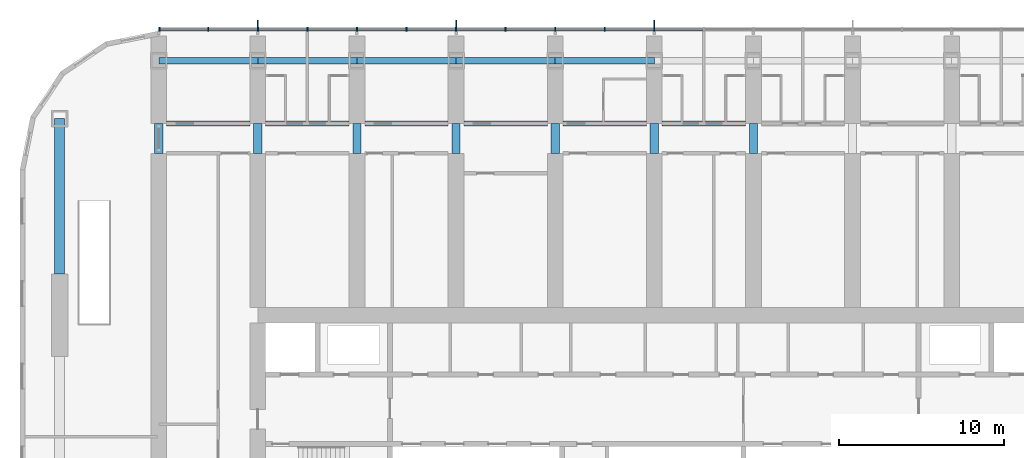
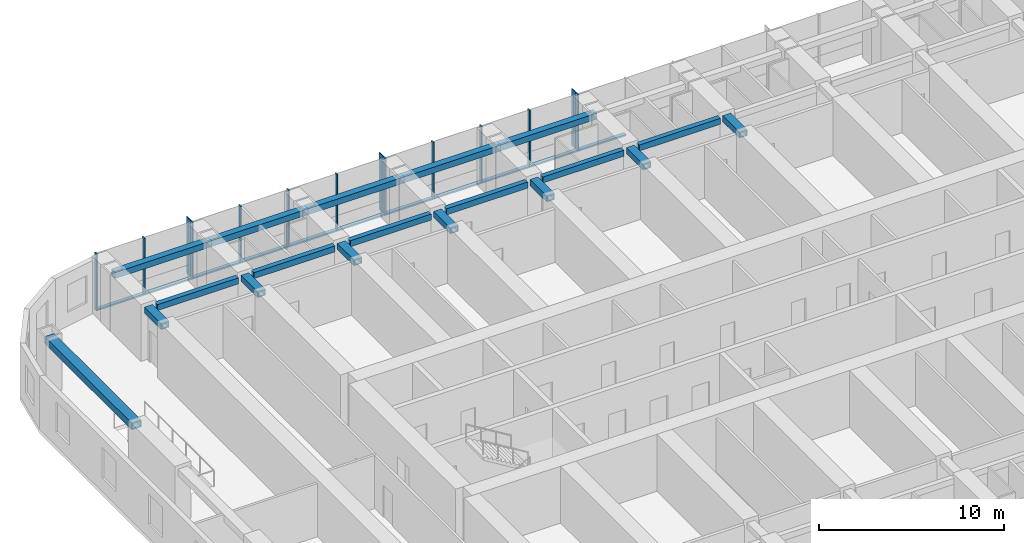
# One storey, part 4 of 21: 25 members, 19 beams, 1 element without a shape of its own.
"""IFC4 building model written with IfcOpenShell, lengths in metres."""

from ifc_helpers import new_model, si_unit, direction, frame, origin, origin_2d, place, context, subcontext, project, spatial, rectangle, hollow_rectangle, extrude, material, material_profile, profile_set, type_object, element, aggregate, save


model = new_model("IFC4")

# Units and contexts
model_context = context("Model", 3, precision=1e-05, world=origin(), true_north=direction((0.0, 1.0)))
body_context = subcontext(model_context, "Body", "Model", "MODEL_VIEW")
ifc_project = project(units=[si_unit("LENGTHUNIT", "METRE"), si_unit("AREAUNIT", "SQUARE_METRE"), si_unit("VOLUMEUNIT", "CUBIC_METRE"), si_unit("PLANEANGLEUNIT", "RADIAN"), si_unit("MASSUNIT", "GRAM", prefix="KILO")], contexts=[model_context])

# Site, building, storey
site_placement = place(None, origin())
site = spatial("IfcSite", under=ifc_project, at=site_placement, CompositionType="ELEMENT")
building_placement = place(site_placement, origin())
building = spatial("IfcBuilding", under=site, at=building_placement, Name="Orbita Commons", CompositionType="ELEMENT")
storey_placement = place(building_placement, frame((0.0, 0.0, 103.14990234375)))
storey = spatial("IfcBuildingStorey", under=building, at=storey_placement, Name="L25", CompositionType="ELEMENT", Elevation=103.14990234375)

# Curtain wall, members
ifc_material_1 = material(Name="Anodised aluminium frame, pale silver", Category="aluminium")
curtain_wall_type = type_object("IfcCurtainWallType", Name="Unitised curtain wall CW-T, vision and spandrel", PredefinedType="NOTDEFINED", material=ifc_material_1)
curtain_wall_placement = place(storey_placement, origin())
curtain_wall = element("IfcCurtainWall", 1, at=curtain_wall_placement, inside=storey, type_object=curtain_wall_type, Name="Curtain wall north L25", PredefinedType="NOTDEFINED")
ifc_material_2 = material(Name="Anodised aluminium, pale silver", Category="aluminium")
ifc_material_profile_1 = material_profile(ifc_material_2, rectangle(XDim=0.080078125, YDim=0.219970703125, at=origin_2d()), Name="AL 80x220")
ifc_profile_set_1 = profile_set([ifc_material_profile_1], Name="Anodised aluminium, pale silver")
member_type_1 = type_object("IfcMemberType", Name="Curtain wall mullion 80x220", PredefinedType="MULLION", material=ifc_profile_set_1)
member_1_placement = place(storey_placement, frame((42.0, 55.510009765625, -0.25), z_axis=(0.0, 0.0, 1.0), x_axis=(-1.0, 0.0, 0.0)))
member_1 = element("IfcMember", 2, at=member_1_placement, type_object=member_type_1, Name="Mullion 9 CW-L25-N", PredefinedType="MULLION", context=body_context, shape_type="SweptSolid", body=[
    extrude(rectangle(XDim=0.080078125, YDim=0.219970703125, at=origin_2d()), origin(), (0.0, 0.0, 1.0), 3.75),
])
member_2_placement = place(storey_placement, frame((39.0, 55.510009765625, -0.25), z_axis=(0.0, 0.0, 1.0), x_axis=(-1.0, 0.0, 0.0)))
member_2 = element("IfcMember", 3, at=member_2_placement, type_object=member_type_1, Name="Mullion 10 CW-L25-N", PredefinedType="MULLION", context=body_context, shape_type="SweptSolid", body=[
    extrude(rectangle(XDim=0.080078125, YDim=0.219970703125, at=origin_2d()), origin(), (0.0, 0.0, 1.0), 3.75),
])
member_3_placement = place(storey_placement, frame((36.0, 55.510009765625, -0.25), z_axis=(0.0, 0.0, 1.0), x_axis=(-1.0, 0.0, 0.0)))
member_3 = element("IfcMember", 4, at=member_3_placement, type_object=member_type_1, Name="Mullion 11 CW-L25-N", PredefinedType="MULLION", context=body_context, shape_type="SweptSolid", body=[
    extrude(rectangle(XDim=0.080078125, YDim=0.219970703125, at=origin_2d()), origin(), (0.0, 0.0, 1.0), 3.75),
])
member_4_placement = place(storey_placement, frame((33.0, 55.510009765625, -0.25), z_axis=(0.0, 0.0, 1.0), x_axis=(-1.0, 0.0, 0.0)))
member_4 = element("IfcMember", 5, at=member_4_placement, type_object=member_type_1, Name="Mullion 12 CW-L25-N", PredefinedType="MULLION", context=body_context, shape_type="SweptSolid", body=[
    extrude(rectangle(XDim=0.080078125, YDim=0.219970703125, at=origin_2d()), origin(), (0.0, 0.0, 1.0), 3.75),
])
member_5_placement = place(storey_placement, frame((30.0, 55.510009765625, -0.25), z_axis=(0.0, 0.0, 1.0), x_axis=(-1.0, 0.0, 0.0)))
member_5 = element("IfcMember", 6, at=member_5_placement, type_object=member_type_1, Name="Mullion 13 CW-L25-N", PredefinedType="MULLION", context=body_context, shape_type="SweptSolid", body=[
    extrude(rectangle(XDim=0.080078125, YDim=0.219970703125, at=origin_2d()), origin(), (0.0, 0.0, 1.0), 3.75),
])
member_6_placement = place(storey_placement, frame((27.0, 55.510009765625, -0.25), z_axis=(0.0, 0.0, 1.0), x_axis=(-1.0, 0.0, 0.0)))
member_6 = element("IfcMember", 7, at=member_6_placement, type_object=member_type_1, Name="Mullion 14 CW-L25-N", PredefinedType="MULLION", context=body_context, shape_type="SweptSolid", body=[
    extrude(rectangle(XDim=0.080078125, YDim=0.219970703125, at=origin_2d()), origin(), (0.0, 0.0, 1.0), 3.75),
])
member_7_placement = place(storey_placement, frame((24.0, 55.510009765625, -0.25), z_axis=(0.0, 0.0, 1.0), x_axis=(-1.0, 0.0, 0.0)))
member_7 = element("IfcMember", 8, at=member_7_placement, type_object=member_type_1, Name="Mullion 15 CW-L25-N", PredefinedType="MULLION", context=body_context, shape_type="SweptSolid", body=[
    extrude(rectangle(XDim=0.080078125, YDim=0.219970703125, at=origin_2d()), origin(), (0.0, 0.0, 1.0), 3.75),
])
member_8_placement = place(storey_placement, frame((21.0, 55.510009765625, -0.25), z_axis=(0.0, 0.0, 1.0), x_axis=(-1.0, 0.0, 0.0)))
member_8 = element("IfcMember", 9, at=member_8_placement, type_object=member_type_1, Name="Mullion 16 CW-L25-N", PredefinedType="MULLION", context=body_context, shape_type="SweptSolid", body=[
    extrude(rectangle(XDim=0.080078125, YDim=0.219970703125, at=origin_2d()), origin(), (0.0, 0.0, 1.0), 3.75),
])
member_9_placement = place(storey_placement, frame((18.0, 55.510009765625, -0.25), z_axis=(0.0, 0.0, 1.0), x_axis=(-1.0, 0.0, 0.0)))
member_9 = element("IfcMember", 10, at=member_9_placement, type_object=member_type_1, Name="Mullion 17 CW-L25-N", PredefinedType="MULLION", context=body_context, shape_type="SweptSolid", body=[
    extrude(rectangle(XDim=0.080078125, YDim=0.219970703125, at=origin_2d()), origin(), (0.0, 0.0, 1.0), 3.75),
])
member_10_placement = place(storey_placement, frame((15.0, 55.510009765625, -0.25), z_axis=(0.0, 0.0, 1.0), x_axis=(-1.0, 0.0, 0.0)))
member_10 = element("IfcMember", 11, at=member_10_placement, type_object=member_type_1, Name="Mullion 18 CW-L25-N", PredefinedType="MULLION", context=body_context, shape_type="SweptSolid", body=[
    extrude(rectangle(XDim=0.080078125, YDim=0.219970703125, at=origin_2d()), origin(), (0.0, 0.0, 1.0), 3.75),
])
member_11_placement = place(storey_placement, frame((12.0400390625, 55.510009765625, -0.25), z_axis=(0.0, 0.0, 1.0), x_axis=(-1.0, 0.0, 0.0)))
member_11 = element("IfcMember", 12, at=member_11_placement, type_object=member_type_1, Name="Mullion 19 CW-L25-N", PredefinedType="MULLION", context=body_context, shape_type="SweptSolid", body=[
    extrude(rectangle(XDim=0.080078125, YDim=0.219970703125, at=origin_2d()), origin(), (0.0, 0.0, 1.0), 3.75),
])
ifc_material_3 = material(Name="Anodised aluminium, pale silver", Category="aluminium")
ifc_material_profile_2 = material_profile(ifc_material_3, rectangle(XDim=0.219970703125, YDim=0.10009765625, at=origin_2d()), Name="AL 220x100")
ifc_profile_set_2 = profile_set([ifc_material_profile_2], Name="Anodised aluminium, pale silver")
member_type_2 = type_object("IfcMemberType", Name="Curtain wall stack transom 220x100", PredefinedType="USERDEFINED", material=ifc_profile_set_2)
member_12_placement = place(storey_placement, frame((44.9599609375, 55.510009765625, -0.199951171875), z_axis=(-1.0, 0.0, 0.0), x_axis=(0.0, -1.0, 0.0)))
member_12 = element("IfcMember", 13, at=member_12_placement, type_object=member_type_2, Name="Transom 8.1 CW-L25-N", ObjectType="TRANSOM", PredefinedType="USERDEFINED", context=body_context, shape_type="SweptSolid", body=[
    extrude(rectangle(XDim=0.219970703125, YDim=0.10009765625, at=origin_2d()), origin(), (0.0, 0.0, 1.0), 2.919921875),
])
member_13_placement = place(storey_placement, frame((41.9599609375, 55.510009765625, -0.199951171875), z_axis=(-1.0, 0.0, 0.0), x_axis=(0.0, -1.0, 0.0)))
member_13 = element("IfcMember", 14, at=member_13_placement, type_object=member_type_2, Name="Transom 9.1 CW-L25-N", ObjectType="TRANSOM", PredefinedType="USERDEFINED", context=body_context, shape_type="SweptSolid", body=[
    extrude(rectangle(XDim=0.219970703125, YDim=0.10009765625, at=origin_2d()), origin(), (0.0, 0.0, 1.0), 2.919921875),
])
member_14_placement = place(storey_placement, frame((38.9599609375, 55.510009765625, -0.199951171875), z_axis=(-1.0, 0.0, 0.0), x_axis=(0.0, -1.0, 0.0)))
member_14 = element("IfcMember", 15, at=member_14_placement, type_object=member_type_2, Name="Transom 10.1 CW-L25-N", ObjectType="TRANSOM", PredefinedType="USERDEFINED", context=body_context, shape_type="SweptSolid", body=[
    extrude(rectangle(XDim=0.219970703125, YDim=0.10009765625, at=origin_2d()), origin(), (0.0, 0.0, 1.0), 2.919921875),
])
member_15_placement = place(storey_placement, frame((35.9599609375, 55.510009765625, -0.199951171875), z_axis=(-1.0, 0.0, 0.0), x_axis=(0.0, -1.0, 0.0)))
member_15 = element("IfcMember", 16, at=member_15_placement, type_object=member_type_2, Name="Transom 11.1 CW-L25-N", ObjectType="TRANSOM", PredefinedType="USERDEFINED", context=body_context, shape_type="SweptSolid", body=[
    extrude(rectangle(XDim=0.219970703125, YDim=0.10009765625, at=origin_2d()), origin(), (0.0, 0.0, 1.0), 2.919921875),
])
member_16_placement = place(storey_placement, frame((32.9599609375, 55.510009765625, -0.199951171875), z_axis=(-1.0, 0.0, 0.0), x_axis=(0.0, -1.0, 0.0)))
member_16 = element("IfcMember", 17, at=member_16_placement, type_object=member_type_2, Name="Transom 12.1 CW-L25-N", ObjectType="TRANSOM", PredefinedType="USERDEFINED", context=body_context, shape_type="SweptSolid", body=[
    extrude(rectangle(XDim=0.219970703125, YDim=0.10009765625, at=origin_2d()), origin(), (0.0, 0.0, 1.0), 2.919921875),
])
member_17_placement = place(storey_placement, frame((29.9599609375, 55.510009765625, -0.199951171875), z_axis=(-1.0, 0.0, 0.0), x_axis=(0.0, -1.0, 0.0)))
member_17 = element("IfcMember", 18, at=member_17_placement, type_object=member_type_2, Name="Transom 13.1 CW-L25-N", ObjectType="TRANSOM", PredefinedType="USERDEFINED", context=body_context, shape_type="SweptSolid", body=[
    extrude(rectangle(XDim=0.219970703125, YDim=0.10009765625, at=origin_2d()), origin(), (0.0, 0.0, 1.0), 2.919921875),
])
member_18_placement = place(storey_placement, frame((26.9599609375, 55.510009765625, -0.199951171875), z_axis=(-1.0, 0.0, 0.0), x_axis=(0.0, -1.0, 0.0)))
member_18 = element("IfcMember", 19, at=member_18_placement, type_object=member_type_2, Name="Transom 14.1 CW-L25-N", ObjectType="TRANSOM", PredefinedType="USERDEFINED", context=body_context, shape_type="SweptSolid", body=[
    extrude(rectangle(XDim=0.219970703125, YDim=0.10009765625, at=origin_2d()), origin(), (0.0, 0.0, 1.0), 2.919921875),
])
member_19_placement = place(storey_placement, frame((23.9599609375, 55.510009765625, -0.199951171875), z_axis=(-1.0, 0.0, 0.0), x_axis=(0.0, -1.0, 0.0)))
member_19 = element("IfcMember", 20, at=member_19_placement, type_object=member_type_2, Name="Transom 15.1 CW-L25-N", ObjectType="TRANSOM", PredefinedType="USERDEFINED", context=body_context, shape_type="SweptSolid", body=[
    extrude(rectangle(XDim=0.219970703125, YDim=0.10009765625, at=origin_2d()), origin(), (0.0, 0.0, 1.0), 2.919921875),
])
member_20_placement = place(storey_placement, frame((20.9599609375, 55.510009765625, -0.199951171875), z_axis=(-1.0, 0.0, 0.0), x_axis=(0.0, -1.0, 0.0)))
member_20 = element("IfcMember", 21, at=member_20_placement, type_object=member_type_2, Name="Transom 16.1 CW-L25-N", ObjectType="TRANSOM", PredefinedType="USERDEFINED", context=body_context, shape_type="SweptSolid", body=[
    extrude(rectangle(XDim=0.219970703125, YDim=0.10009765625, at=origin_2d()), origin(), (0.0, 0.0, 1.0), 2.919921875),
])
member_21_placement = place(storey_placement, frame((17.9599609375, 55.510009765625, -0.199951171875), z_axis=(-1.0, 0.0, 0.0), x_axis=(0.0, -1.0, 0.0)))
member_21 = element("IfcMember", 22, at=member_21_placement, type_object=member_type_2, Name="Transom 17.1 CW-L25-N", ObjectType="TRANSOM", PredefinedType="USERDEFINED", context=body_context, shape_type="SweptSolid", body=[
    extrude(rectangle(XDim=0.219970703125, YDim=0.10009765625, at=origin_2d()), origin(), (0.0, 0.0, 1.0), 2.919921875),
])
member_22_placement = place(storey_placement, frame((14.9599609375, 55.510009765625, -0.199951171875), z_axis=(-1.0, 0.0, 0.0), x_axis=(0.0, -1.0, 0.0)))
member_22 = element("IfcMember", 23, at=member_22_placement, type_object=member_type_2, Name="Transom 18.1 CW-L25-N", ObjectType="TRANSOM", PredefinedType="USERDEFINED", context=body_context, shape_type="SweptSolid", body=[
    extrude(rectangle(XDim=0.219970703125, YDim=0.10009765625, at=origin_2d()), origin(), (0.0, 0.0, 1.0), 2.8798828125),
])

# Beams
ifc_material_4 = material(Name="Steel ASTM A572 Gr 50 welded plate", Category="steel")
ifc_material_profile_3 = material_profile(ifc_material_4, hollow_rectangle(XDim=0.300048828125, YDim=0.39990234375, WallThickness=0.0400390625, at=origin_2d()), Name="BOX 400x300x40")
ifc_profile_set_3 = profile_set([ifc_material_profile_3], Name="Steel ASTM A572 Gr 50 welded plate")
beam_type_1 = type_object("IfcBeamType", Name="Steel corridor link BOX 400x300x40", PredefinedType="BEAM", material=ifc_profile_set_3)
for number, where, z_axis, x_axis, name in (
    (24, (12.47509765625, 49.800048828125, 3.300048828125), (1.0, 0.0, 0.0), (0.0, 1.0, 0.0), "Corridor beam NB 3-4 L25"),
    (25, (18.47509765625, 49.800048828125, 3.300048828125), (1.0, 0.0, 0.0), (0.0, 1.0, 0.0), "Corridor beam NB 4-5 L25"),
    (26, (24.47509765625, 49.800048828125, 3.300048828125), (1.0, 0.0, 0.0), (0.0, 1.0, 0.0), "Corridor beam NB 5-6 L25"),
    (27, (30.47509765625, 49.800048828125, 3.300048828125), (1.0, 0.0, 0.0), (0.0, 1.0, 0.0), "Corridor beam NB 6-7 L25"),
    (28, (36.47509765625, 49.800048828125, 3.300048828125), (1.0, 0.0, 0.0), (0.0, 1.0, 0.0), "Corridor beam NB 7-8 L25"),
    (29, (42.47509765625, 49.800048828125, 3.300048828125), (1.0, 0.0, 0.0), (0.0, 1.0, 0.0), "Corridor beam NB 8-9 L25"),
):
    element("IfcBeam", number, at=place(storey_placement, frame(where, z_axis=z_axis, x_axis=x_axis)), inside=storey, type_object=beam_type_1, Name=name, PredefinedType="BEAM", context=body_context, shape_type="SweptSolid", body=[
        extrude(hollow_rectangle(XDim=0.300048828125, YDim=0.39990234375, WallThickness=0.0400390625, at=origin_2d()), origin(), (0.0, 0.0, 1.0), 5.0498046875),
    ])
ifc_material_5 = material(Name="Steel ASTM A572 Gr 50 welded plate", Category="steel")
ifc_material_profile_4 = material_profile(ifc_material_5, hollow_rectangle(XDim=0.5, YDim=0.39990234375, WallThickness=0.050048828125, at=origin_2d()), Name="BOX 400x500x50")
ifc_profile_set_4 = profile_set([ifc_material_profile_4], Name="Steel ASTM A572 Gr 50 welded plate")
beam_type_2 = type_object("IfcBeamType", Name="Steel coupling link BOX 400x500x50", PredefinedType="LINTEL", material=ifc_profile_set_4)
for number, where, z_axis, x_axis, name in (
    (30, (12.0, 48.0, 3.300048828125), (0.0, 1.0, 0.0), (-1.0, 0.0, 0.0), "Coupling beam 3 north L25"),
    (31, (18.0, 48.0, 3.300048828125), (0.0, 1.0, 0.0), (-1.0, 0.0, 0.0), "Coupling beam 4 north L25"),
    (32, (24.0, 48.0, 3.300048828125), (0.0, 1.0, 0.0), (-1.0, 0.0, 0.0), "Coupling beam 5 north L25"),
    (33, (30.0, 48.0, 3.300048828125), (0.0, 1.0, 0.0), (-1.0, 0.0, 0.0), "Coupling beam 6 north L25"),
    (34, (36.0, 48.0, 3.300048828125), (0.0, 1.0, 0.0), (-1.0, 0.0, 0.0), "Coupling beam 7 north L25"),
    (35, (42.0, 48.0, 3.300048828125), (0.0, 1.0, 0.0), (-1.0, 0.0, 0.0), "Coupling beam 8 north L25"),
    (36, (48.0, 48.0, 3.300048828125), (0.0, 1.0, 0.0), (-1.0, 0.0, 0.0), "Coupling beam 9 north L25"),
):
    element("IfcBeam", number, at=place(storey_placement, frame(where, z_axis=z_axis, x_axis=x_axis)), inside=storey, type_object=beam_type_2, Name=name, PredefinedType="LINTEL", context=body_context, shape_type="SweptSolid", body=[
        extrude(hollow_rectangle(XDim=0.5, YDim=0.39990234375, WallThickness=0.050048828125, at=origin_2d()), origin(), (0.0, 0.0, 1.0), 1.800048828125),
    ])
ifc_material_6 = material(Name="Steel ASTM A572 Gr 50 welded plate", Category="steel")
ifc_material_profile_5 = material_profile(ifc_material_6, hollow_rectangle(XDim=0.60009765625, YDim=0.449951171875, WallThickness=0.06005859375, at=origin_2d()), Name="BOX 450x600x60")
ifc_profile_set_5 = profile_set([ifc_material_profile_5], Name="Steel ASTM A572 Gr 50 welded plate")
beam_type_3 = type_object("IfcBeamType", Name="Steel end frame link BOX 450x600x60", PredefinedType="BEAM", material=ifc_profile_set_5)
beam_placement = place(storey_placement, frame((6.0, 40.699951171875, 3.275146484375), z_axis=(0.0, 1.0, 0.0), x_axis=(-1.0, 0.0, 0.0)))
element("IfcBeam", 37, at=beam_placement, inside=storey, type_object=beam_type_3, Name="End frame beam 2 D-E L25", PredefinedType="BEAM", context=body_context, shape_type="SweptSolid", body=[
    extrude(hollow_rectangle(XDim=0.60009765625, YDim=0.449951171875, WallThickness=0.06005859375, at=origin_2d()), origin(), (0.0, 0.0, 1.0), 9.400146484375),
])
ifc_material_7 = material(Name="Steel ASTM A572 Gr 50 welded plate", Category="steel")
ifc_material_profile_6 = material_profile(ifc_material_7, hollow_rectangle(XDim=0.39990234375, YDim=0.39990234375, WallThickness=0.0400390625, at=origin_2d()), Name="BOX 400x400x40")
ifc_profile_set_6 = profile_set([ifc_material_profile_6], Name="Steel ASTM A572 Gr 50 welded plate")
beam_type_4 = type_object("IfcBeamType", Name="Steel spandrel BOX 400x400x40", PredefinedType="SPANDREL", material=ifc_profile_set_6)
for number, where, z_axis, x_axis, name in (
    (38, (12.0, 53.60009765625, 3.300048828125), (1.0, 0.0, 0.0), (0.0, 1.0, 0.0), "Spandrel beam E 3-4 L25"),
    (39, (18.0, 53.60009765625, 3.300048828125), (1.0, 0.0, 0.0), (0.0, 1.0, 0.0), "Spandrel beam E 4-5 L25"),
    (40, (24.0, 53.60009765625, 3.300048828125), (1.0, 0.0, 0.0), (0.0, 1.0, 0.0), "Spandrel beam E 5-6 L25"),
    (41, (30.0, 53.60009765625, 3.300048828125), (1.0, 0.0, 0.0), (0.0, 1.0, 0.0), "Spandrel beam E 6-7 L25"),
    (42, (36.0, 53.60009765625, 3.300048828125), (1.0, 0.0, 0.0), (0.0, 1.0, 0.0), "Spandrel beam E 7-8 L25"),
):
    element("IfcBeam", number, at=place(storey_placement, frame(where, z_axis=z_axis, x_axis=x_axis)), inside=storey, type_object=beam_type_4, Name=name, PredefinedType="SPANDREL", context=body_context, shape_type="SweptSolid", body=[
        extrude(hollow_rectangle(XDim=0.39990234375, YDim=0.39990234375, WallThickness=0.0400390625, at=origin_2d()), origin(), (0.0, 0.0, 1.0), 6.0),
    ])

# Member
ifc_material_8 = material(Name="Anodised aluminium, pale silver", Category="aluminium")
ifc_material_profile_7 = material_profile(ifc_material_8, rectangle(XDim=0.06005859375, YDim=0.449951171875, at=origin_2d()), Name="FIN 60x450")
ifc_profile_set_7 = profile_set([ifc_material_profile_7], Name="Anodised aluminium, pale silver")
member_type_3 = type_object("IfcMemberType", Name="Vertical fin 60x450 pale aluminium", PredefinedType="USERDEFINED", material=ifc_profile_set_7)
member_23_placement = place(storey_placement, frame((42.0, 55.844970703125, -0.25), z_axis=(0.0, 0.0, 1.0), x_axis=(-1.0, 0.0, 0.0)))
member_23 = element("IfcMember", 43, at=member_23_placement, type_object=member_type_3, Name="Fin 9 CW-L25-N", ObjectType="FIN", PredefinedType="USERDEFINED", context=body_context, shape_type="SweptSolid", body=[
    extrude(rectangle(XDim=0.06005859375, YDim=0.449951171875, at=origin_2d()), origin(), (0.0, 0.0, 1.0), 3.75),
])

member_24_placement = place(storey_placement, frame((30.0, 55.844970703125, -0.25), z_axis=(0.0, 0.0, 1.0), x_axis=(-1.0, 0.0, 0.0)))
member_24 = element("IfcMember", 44, at=member_24_placement, type_object=member_type_3, Name="Fin 13 CW-L25-N", ObjectType="FIN", PredefinedType="USERDEFINED", context=body_context, shape_type="SweptSolid", body=[
    extrude(rectangle(XDim=0.06005859375, YDim=0.449951171875, at=origin_2d()), origin(), (0.0, 0.0, 1.0), 3.75),
])

member_25_placement = place(storey_placement, frame((18.0, 55.844970703125, -0.25), z_axis=(0.0, 0.0, 1.0), x_axis=(-1.0, 0.0, 0.0)))
member_25 = element("IfcMember", 45, at=member_25_placement, type_object=member_type_3, Name="Fin 17 CW-L25-N", ObjectType="FIN", PredefinedType="USERDEFINED", context=body_context, shape_type="SweptSolid", body=[
    extrude(rectangle(XDim=0.06005859375, YDim=0.449951171875, at=origin_2d()), origin(), (0.0, 0.0, 1.0), 3.75),
])

aggregate(curtain_wall, [member_1, member_23, member_2, member_3, member_4, member_5, member_24, member_6, member_7, member_8, member_9, member_25, member_10, member_11, member_12, member_13, member_14, member_15, member_16, member_17, member_18, member_19, member_20, member_21, member_22])

save(model, "model.ifc")
